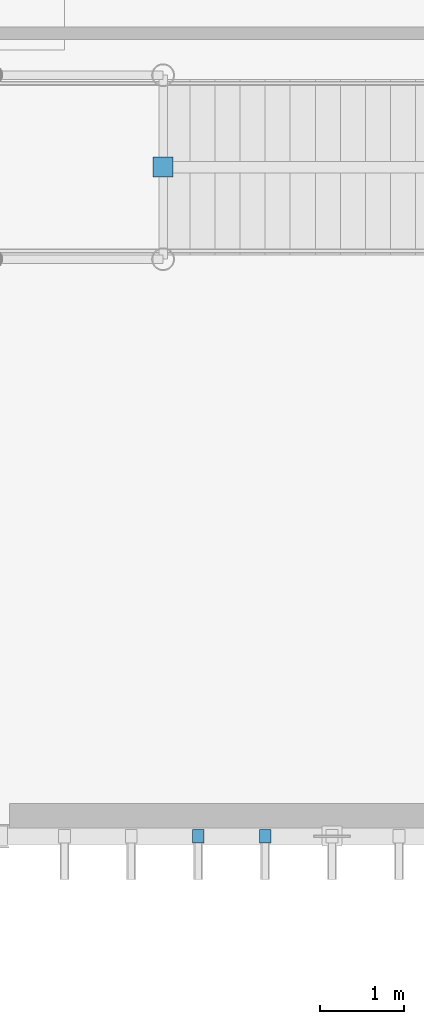
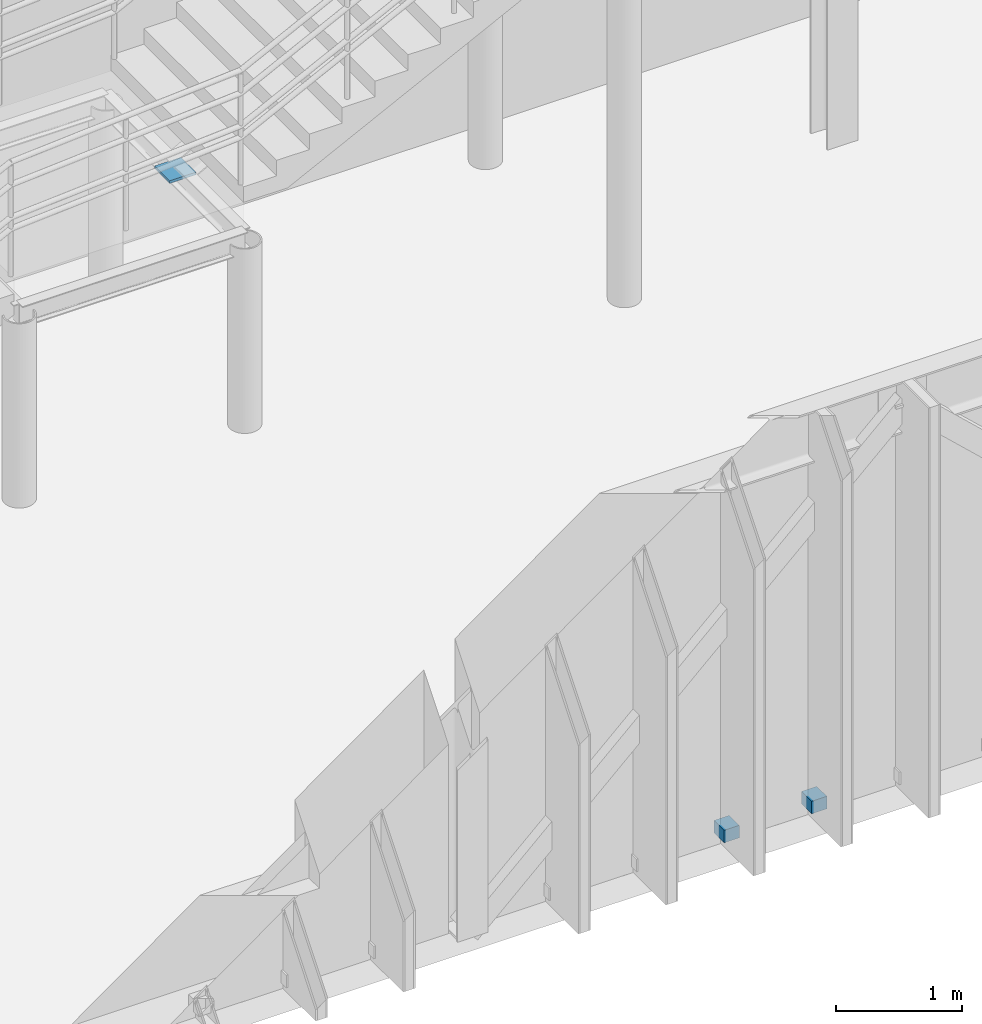
# One storey, part 106 of 122: 3 discrete accessories.
"""IFC4 building model written with IfcOpenShell, lengths in metres."""

from ifc_helpers import new_model, si_unit, direction, frame, origin, origin_2d, place, context, subcontext, project, spatial, rectangle, extrude, material, type_object, element, save


model = new_model("IFC4")

# Units and contexts
model_context = context("Model", 3, precision=1e-05, world=origin(), true_north=direction((0.0, 1.0)))
body_context = subcontext(model_context, "Body", "Model", "MODEL_VIEW")
ifc_project = project(units=[si_unit("LENGTHUNIT", "METRE"), si_unit("AREAUNIT", "SQUARE_METRE"), si_unit("VOLUMEUNIT", "CUBIC_METRE"), si_unit("PLANEANGLEUNIT", "RADIAN"), si_unit("MASSUNIT", "GRAM", prefix="KILO")], contexts=[model_context])

# Site, building, storey
site_placement = place(None, origin())
site = spatial("IfcSite", under=ifc_project, at=site_placement, CompositionType="ELEMENT")
building_placement = place(site_placement, origin())
building = spatial("IfcBuilding", under=site, at=building_placement, Name="Sundkrona Museum", CompositionType="ELEMENT")
storey_placement = place(building_placement, frame((0.0, 0.0, 5.39990234375)))
storey = spatial("IfcBuildingStorey", under=building, at=storey_placement, Name="L01", CompositionType="ELEMENT", Elevation=5.39990234375)

# Discrete accessories
ifc_material = material(Name="Stainless Steel EN 1.4404 Cleat", Category="steel")
discrete_accessory_type = type_object("IfcDiscreteAccessoryType", Name="BRK-FIN-01", PredefinedType="BRACKET", material=ifc_material)
discrete_accessory_placement = place(storey_placement, frame((65.97998046875, 86.0, 1.767578125), z_axis=(0.0, 0.0, 1.0), x_axis=(1.0, 0.0, 0.0)))
element("IfcDiscreteAccessory", 1, at=discrete_accessory_placement, inside=storey, type_object=discrete_accessory_type, Name="Brace and Strut End Connection Plate RK-FS-6-FL2-1", PredefinedType="BRACKET", context=body_context, shape_type="SweptSolid", body=[
    extrude(rectangle(XDim=0.239990234375, YDim=0.239990234375, at=origin_2d()), origin(), (0.0, 0.0, 1.0), 0.02490234375),
])
for number, where, z_axis, x_axis, name in (
    (2, (66.39990234375, 78.0, 0.06005859375), (0.0, 0.0, 1.0), (1.0, 0.0, 0.0), "L01 Fin Bracket S-039"),
    (3, (67.199951171875, 78.0, 0.06005859375), (0.0, 0.0, 1.0), (1.0, 0.0, 0.0), "L01 Fin Bracket S-040"),
):
    element("IfcDiscreteAccessory", number, at=place(storey_placement, frame(where, z_axis=z_axis, x_axis=x_axis)), inside=storey, type_object=discrete_accessory_type, Name=name, PredefinedType="BRACKET", context=body_context, shape_type="SweptSolid", body=[
        extrude(rectangle(XDim=0.139892578125, YDim=0.159912109375, at=origin_2d()), origin(), (0.0, 0.0, 1.0), 0.1201171875),
    ])

save(model, "model.ifc")
